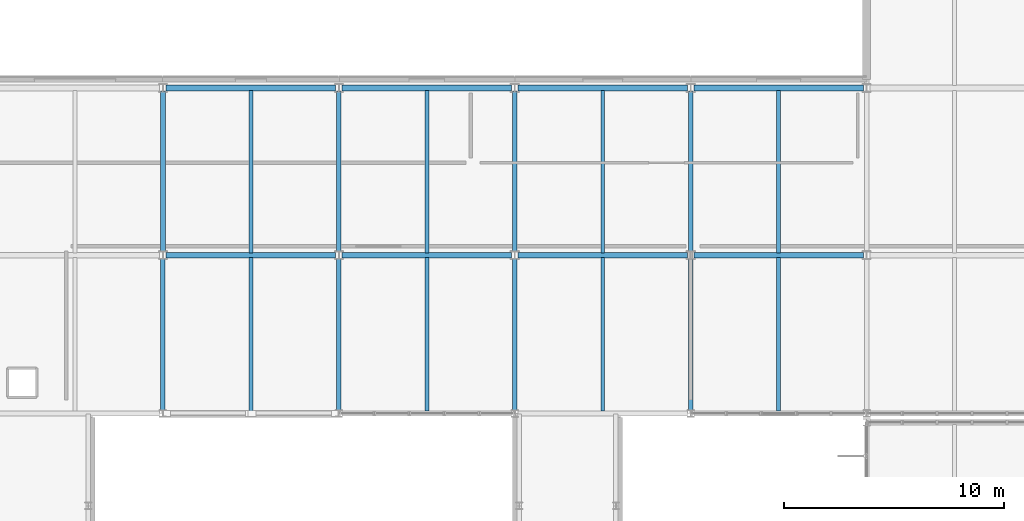
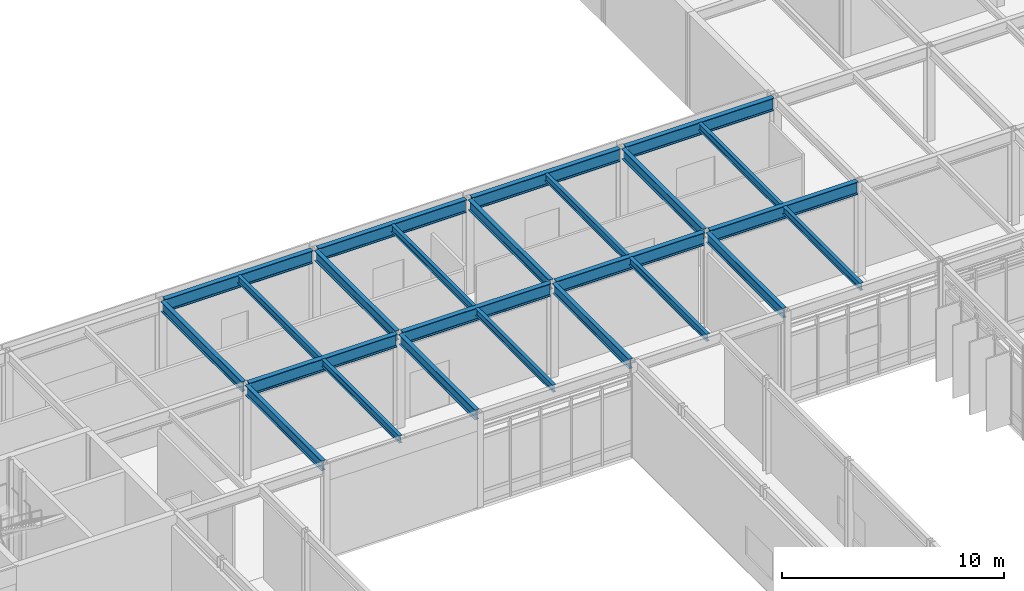
# One storey, part 31 of 94: 24 beams.
"""IFC4 building model written with IfcOpenShell, lengths in metres."""

from ifc_helpers import new_model, si_unit, direction, frame, origin, origin_2d, place, context, subcontext, project, spatial, i_section, extrude, material, material_profile, profile_set, type_object, element, save


model = new_model("IFC4")

# Units and contexts
model_context = context("Model", 3, precision=1e-05, world=origin(), true_north=direction((0.0, 1.0)))
body_context = subcontext(model_context, "Body", "Model", "MODEL_VIEW")
ifc_project = project(units=[si_unit("LENGTHUNIT", "METRE"), si_unit("AREAUNIT", "SQUARE_METRE"), si_unit("VOLUMEUNIT", "CUBIC_METRE"), si_unit("PLANEANGLEUNIT", "RADIAN"), si_unit("MASSUNIT", "GRAM", prefix="KILO")], contexts=[model_context])

# Site, building, storey
site_placement = place(None, origin())
site = spatial("IfcSite", under=ifc_project, at=site_placement, CompositionType="ELEMENT")
building_placement = place(site_placement, origin())
building = spatial("IfcBuilding", under=site, at=building_placement, Name="Zulena Civic Courthouse", CompositionType="ELEMENT")
storey_placement = place(building_placement, frame((0.0, 0.0, 5.39990234375)))
storey = spatial("IfcBuildingStorey", under=building, at=storey_placement, Name="L01", CompositionType="ELEMENT", Elevation=5.39990234375)

# Beams
ifc_material = material(Name="Steel ASTM A992 Grade 50", Category="steel")
ifc_material_profile_1 = material_profile(ifc_material, i_section(OverallWidth=0.214111328125, OverallDepth=0.549072265625, WebThickness=0.0146484375, FlangeThickness=0.023681640625, FilletRadius=0.0126953125, at=origin_2d()), Name="W21X93")
ifc_profile_set_1 = profile_set([ifc_material_profile_1], Name="Steel ASTM A992 Grade 50")
beam_type_1 = type_object("IfcBeamType", Name="Girder_W21X93", PredefinedType="BEAM", material=ifc_profile_set_1)
for number, where, z_axis, x_axis, name in (
    (1, (36.0, 53.344970703125, 4.91064453125), (0.0, 1.0, 0.0), (-1.0, 0.0, 0.0), "beam:Y:V5:L01:36.0:53.2_60.8"),
    (2, (44.0, 53.344970703125, 4.91064453125), (0.0, 1.0, 0.0), (-1.0, 0.0, 0.0), "beam:Y:V5:L01:44.0:53.2_60.8"),
    (3, (52.0, 53.344970703125, 4.91064453125), (0.0, 1.0, 0.0), (-1.0, 0.0, 0.0), "beam:Y:V5:L01:52.0:53.2_60.8"),
    (4, (60.0, 53.344970703125, 4.91064453125), (0.0, 1.0, 0.0), (-1.0, 0.0, 0.0), "beam:Y:V5:L01:60.0:53.2_60.8"),
):
    element("IfcBeam", number, at=place(storey_placement, frame(where, z_axis=z_axis, x_axis=x_axis)), inside=storey, type_object=beam_type_1, Name=name, PredefinedType="BEAM", context=body_context, shape_type="SweptSolid", body=[
        extrude(i_section(OverallWidth=0.214111328125, OverallDepth=0.549072265625, WebThickness=0.0146484375, FlangeThickness=0.023681640625, FilletRadius=0.0126953125, at=origin_2d()), origin(), (0.0, 0.0, 1.0), 7.31005859375),
    ])
ifc_material_profile_2 = material_profile(ifc_material, i_section(OverallWidth=0.25390625, OverallDepth=0.701904296875, WebThickness=0.015380859375, FlangeThickness=0.02783203125, FilletRadius=0.0166015625, at=origin_2d()), Name="W27X129")
ifc_profile_set_2 = profile_set([ifc_material_profile_2], Name="Steel ASTM A992 Grade 50")
beam_type_2 = type_object("IfcBeamType", Name="Girder_W27X129", PredefinedType="BEAM", material=ifc_profile_set_2)
for number, where, z_axis, x_axis, name in (
    (5, (36.14501953125, 53.199951171875, 4.833984375), (1.0, 0.0, 0.0), (0.0, 1.0, 0.0), "beam:X:V5:L01:53.2:36.0_44.0"),
    (6, (44.14501953125, 53.199951171875, 4.833984375), (1.0, 0.0, 0.0), (0.0, 1.0, 0.0), "beam:X:V5:L01:53.2:44.0_52.0"),
    (7, (52.14501953125, 53.199951171875, 4.833984375), (1.0, 0.0, 0.0), (0.0, 1.0, 0.0), "beam:X:V5:L01:53.2:52.0_60.0"),
    (8, (60.14501953125, 53.199951171875, 4.833984375), (1.0, 0.0, 0.0), (0.0, 1.0, 0.0), "beam:X:V5:L01:53.2:60.0_68.0"),
    (9, (36.14501953125, 60.800048828125, 4.833984375), (1.0, 0.0, 0.0), (0.0, 1.0, 0.0), "beam:X:V5:L01:60.8:36.0_44.0"),
    (10, (44.14501953125, 60.800048828125, 4.833984375), (1.0, 0.0, 0.0), (0.0, 1.0, 0.0), "beam:X:V5:L01:60.8:44.0_52.0"),
    (11, (52.14501953125, 60.800048828125, 4.833984375), (1.0, 0.0, 0.0), (0.0, 1.0, 0.0), "beam:X:V5:L01:60.8:52.0_60.0"),
    (12, (60.14501953125, 60.800048828125, 4.833984375), (1.0, 0.0, 0.0), (0.0, 1.0, 0.0), "beam:X:V5:L01:60.8:60.0_68.0"),
):
    element("IfcBeam", number, at=place(storey_placement, frame(where, z_axis=z_axis, x_axis=x_axis)), inside=storey, type_object=beam_type_2, Name=name, PredefinedType="BEAM", context=body_context, shape_type="SweptSolid", body=[
        extrude(i_section(OverallWidth=0.25390625, OverallDepth=0.701904296875, WebThickness=0.015380859375, FlangeThickness=0.02783203125, FilletRadius=0.0166015625, at=origin_2d()), origin(), (0.0, 0.0, 1.0), 7.7099609375),
    ])
ifc_material_profile_3 = material_profile(ifc_material, i_section(OverallWidth=0.177978515625, OverallDepth=0.406005859375, WebThickness=0.0078125, FlangeThickness=0.0126953125, FilletRadius=0.01025390625, at=origin_2d()), Name="W16X40")
ifc_profile_set_3 = profile_set([ifc_material_profile_3], Name="Steel ASTM A992 Grade 50")
beam_type_3 = type_object("IfcBeamType", Name="Joist_W16X40", PredefinedType="JOIST", material=ifc_profile_set_3)
beam_1_placement = place(storey_placement, frame((40.0, 46.10498046875, 4.982177734375), z_axis=(0.0, 1.0, 0.0), x_axis=(-1.0, 0.0, 0.0)))
element("IfcBeam", 13, at=beam_1_placement, inside=storey, type_object=beam_type_3, Name="joist:V5:L01:40.00:46.0_53.2", PredefinedType="JOIST", context=body_context, shape_type="SweptSolid", body=[
    extrude(i_section(OverallWidth=0.177978515625, OverallDepth=0.406005859375, WebThickness=0.0078125, FlangeThickness=0.0126953125, FilletRadius=0.01025390625, at=origin_2d()), origin(), (0.0, 0.0, 1.0), 6.989990234375),
])
beam_2_placement = place(storey_placement, frame((40.0, 53.304931640625, 4.982177734375), z_axis=(0.0, 1.0, 0.0), x_axis=(-1.0, 0.0, 0.0)))
element("IfcBeam", 14, at=beam_2_placement, inside=storey, type_object=beam_type_3, Name="joist:V5:L01:40.00:53.2_60.8", PredefinedType="JOIST", context=body_context, shape_type="SweptSolid", body=[
    extrude(i_section(OverallWidth=0.177978515625, OverallDepth=0.406005859375, WebThickness=0.0078125, FlangeThickness=0.0126953125, FilletRadius=0.01025390625, at=origin_2d()), origin(), (0.0, 0.0, 1.0), 7.39013671875),
])
beam_3_placement = place(storey_placement, frame((48.0, 46.10498046875, 4.982177734375), z_axis=(0.0, 1.0, 0.0), x_axis=(-1.0, 0.0, 0.0)))
element("IfcBeam", 15, at=beam_3_placement, inside=storey, type_object=beam_type_3, Name="joist:V5:L01:48.00:46.0_53.2", PredefinedType="JOIST", context=body_context, shape_type="SweptSolid", body=[
    extrude(i_section(OverallWidth=0.177978515625, OverallDepth=0.406005859375, WebThickness=0.0078125, FlangeThickness=0.0126953125, FilletRadius=0.01025390625, at=origin_2d()), origin(), (0.0, 0.0, 1.0), 6.989990234375),
])
beam_4_placement = place(storey_placement, frame((48.0, 53.304931640625, 4.982177734375), z_axis=(0.0, 1.0, 0.0), x_axis=(-1.0, 0.0, 0.0)))
element("IfcBeam", 16, at=beam_4_placement, inside=storey, type_object=beam_type_3, Name="joist:V5:L01:48.00:53.2_60.8", PredefinedType="JOIST", context=body_context, shape_type="SweptSolid", body=[
    extrude(i_section(OverallWidth=0.177978515625, OverallDepth=0.406005859375, WebThickness=0.0078125, FlangeThickness=0.0126953125, FilletRadius=0.01025390625, at=origin_2d()), origin(), (0.0, 0.0, 1.0), 7.39013671875),
])
beam_5_placement = place(storey_placement, frame((56.0, 46.10498046875, 4.982177734375), z_axis=(0.0, 1.0, 0.0), x_axis=(-1.0, 0.0, 0.0)))
element("IfcBeam", 17, at=beam_5_placement, inside=storey, type_object=beam_type_3, Name="joist:V5:L01:56.00:46.0_53.2", PredefinedType="JOIST", context=body_context, shape_type="SweptSolid", body=[
    extrude(i_section(OverallWidth=0.177978515625, OverallDepth=0.406005859375, WebThickness=0.0078125, FlangeThickness=0.0126953125, FilletRadius=0.01025390625, at=origin_2d()), origin(), (0.0, 0.0, 1.0), 6.989990234375),
])
beam_6_placement = place(storey_placement, frame((56.0, 53.304931640625, 4.982177734375), z_axis=(0.0, 1.0, 0.0), x_axis=(-1.0, 0.0, 0.0)))
element("IfcBeam", 18, at=beam_6_placement, inside=storey, type_object=beam_type_3, Name="joist:V5:L01:56.00:53.2_60.8", PredefinedType="JOIST", context=body_context, shape_type="SweptSolid", body=[
    extrude(i_section(OverallWidth=0.177978515625, OverallDepth=0.406005859375, WebThickness=0.0078125, FlangeThickness=0.0126953125, FilletRadius=0.01025390625, at=origin_2d()), origin(), (0.0, 0.0, 1.0), 7.39013671875),
])
beam_7_placement = place(storey_placement, frame((64.0, 46.10498046875, 4.982177734375), z_axis=(0.0, 1.0, 0.0), x_axis=(-1.0, 0.0, 0.0)))
element("IfcBeam", 19, at=beam_7_placement, inside=storey, type_object=beam_type_3, Name="joist:V5:L01:64.00:46.0_53.2", PredefinedType="JOIST", context=body_context, shape_type="SweptSolid", body=[
    extrude(i_section(OverallWidth=0.177978515625, OverallDepth=0.406005859375, WebThickness=0.0078125, FlangeThickness=0.0126953125, FilletRadius=0.01025390625, at=origin_2d()), origin(), (0.0, 0.0, 1.0), 6.989990234375),
])
beam_8_placement = place(storey_placement, frame((64.0, 53.304931640625, 4.982177734375), z_axis=(0.0, 1.0, 0.0), x_axis=(-1.0, 0.0, 0.0)))
element("IfcBeam", 20, at=beam_8_placement, inside=storey, type_object=beam_type_3, Name="joist:V5:L01:64.00:53.2_60.8", PredefinedType="JOIST", context=body_context, shape_type="SweptSolid", body=[
    extrude(i_section(OverallWidth=0.177978515625, OverallDepth=0.406005859375, WebThickness=0.0078125, FlangeThickness=0.0126953125, FilletRadius=0.01025390625, at=origin_2d()), origin(), (0.0, 0.0, 1.0), 7.39013671875),
])
ifc_material_profile_4 = material_profile(ifc_material, i_section(OverallWidth=0.2099609375, OverallDepth=0.537109375, WebThickness=0.010986328125, FlangeThickness=0.017333984375, FilletRadius=0.0126953125, at=origin_2d()), Name="W21X68")
ifc_profile_set_4 = profile_set([ifc_material_profile_4], Name="Steel ASTM A992 Grade 50")
beam_type_4 = type_object("IfcBeamType", Name="Spandrel_W21X68", PredefinedType="SPANDREL", material=ifc_profile_set_4)
for number, where, z_axis, x_axis, name in (
    (21, (36.0, 46.14501953125, 4.91650390625), (0.0, 1.0, 0.0), (-1.0, 0.0, 0.0), "beam:Y:V5:L01:36.0:46.0_53.2"),
    (22, (44.0, 46.14501953125, 4.91650390625), (0.0, 1.0, 0.0), (-1.0, 0.0, 0.0), "beam:Y:V5:L01:44.0:46.0_53.2"),
    (23, (52.0, 46.14501953125, 4.91650390625), (0.0, 1.0, 0.0), (-1.0, 0.0, 0.0), "beam:Y:V5:L01:52.0:46.0_53.2"),
    (24, (60.0, 46.14501953125, 4.91650390625), (0.0, 1.0, 0.0), (-1.0, 0.0, 0.0), "beam:Y:V5:L01:60.0:46.0_53.2"),
):
    element("IfcBeam", number, at=place(storey_placement, frame(where, z_axis=z_axis, x_axis=x_axis)), inside=storey, type_object=beam_type_4, Name=name, PredefinedType="SPANDREL", context=body_context, shape_type="SweptSolid", body=[
        extrude(i_section(OverallWidth=0.2099609375, OverallDepth=0.537109375, WebThickness=0.010986328125, FlangeThickness=0.017333984375, FilletRadius=0.0126953125, at=origin_2d()), origin(), (0.0, 0.0, 1.0), 6.909912109375),
    ])

save(model, "model.ifc")
